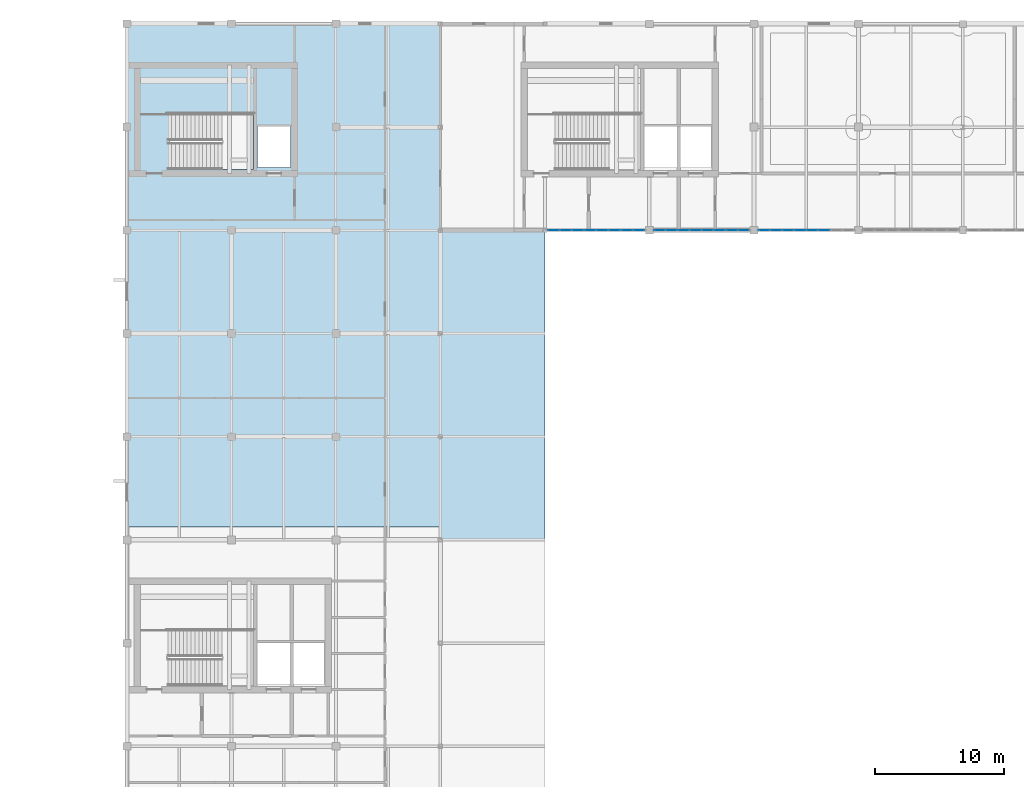
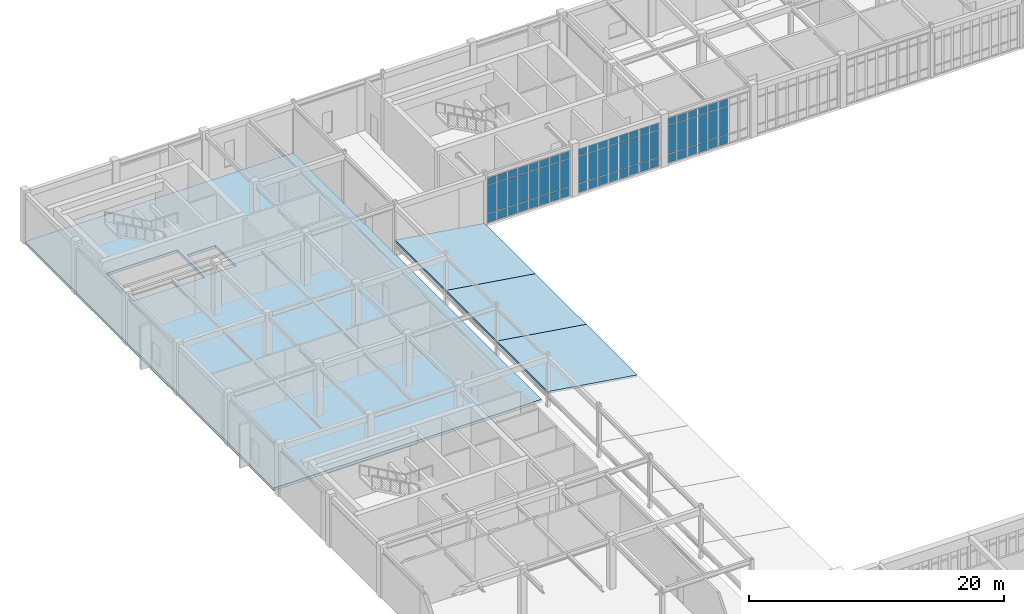
# One storey, part 47 of 70: 66 plates, 4 slabs, 3 elements without a shape of their own.
"""IFC4 building model written with IfcOpenShell, lengths in metres."""

from ifc_helpers import new_model, si_unit, direction, frame, origin, origin_2d, place, context, subcontext, project, spatial, polyline, rectangle, outline, extrude, material, layer, layer_set, type_object, element, aggregate, save


model = new_model("IFC4")

# Units and contexts
model_context = context("Model", 3, precision=1e-05, world=origin(), true_north=direction((0.0, 1.0)))
body_context = subcontext(model_context, "Body", "Model", "MODEL_VIEW")
ifc_project = project(units=[si_unit("LENGTHUNIT", "METRE"), si_unit("AREAUNIT", "SQUARE_METRE"), si_unit("VOLUMEUNIT", "CUBIC_METRE"), si_unit("PLANEANGLEUNIT", "RADIAN"), si_unit("MASSUNIT", "GRAM", prefix="KILO")], contexts=[model_context])

# Site, building, storey
site_placement = place(None, origin())
site = spatial("IfcSite", under=ifc_project, at=site_placement, CompositionType="ELEMENT")
building_placement = place(site_placement, origin())
building = spatial("IfcBuilding", under=site, at=building_placement, Name="Tarnveldt Square Police Headquarters", CompositionType="ELEMENT")
storey_placement = place(building_placement, frame((0.0, 0.0, 19.800048828125)))
storey = spatial("IfcBuildingStorey", under=building, at=storey_placement, Name="L04", CompositionType="ELEMENT", Elevation=19.800048828125)

# Curtain wall, plates
ifc_material_1 = material(Name="Triple-glazed low-e laminated vision glass", Category="glass")
curtain_wall_type_1 = type_object("IfcCurtainWallType", Name="CW-LB-762x439", PredefinedType="USERDEFINED", material=ifc_material_1)
curtain_wall_1_placement = place(storey_placement, origin())
curtain_wall_1 = element("IfcCurtainWall", 1, at=curtain_wall_1_placement, inside=storey, type_object=curtain_wall_type_1, Name="L04 Curtain Wall CW-L04-126", ObjectType="GLAZED CURTAIN WALL", PredefinedType="USERDEFINED")
ifc_layer_1 = layer(ifc_material_1, 0.028076171875)
ifc_layer_set_1 = layer_set([ifc_layer_1], Name="Triple-glazed low-e laminated vision glass")
plate_type = type_object("IfcPlateType", Name="CWP-VIS-28", PredefinedType="CURTAIN_PANEL", material=ifc_layer_set_1)
plate_1_placement = place(storey_placement, frame((49.26220703125, 96.0, 0.06494140625), z_axis=(0.0, 0.0, 1.0), x_axis=(1.0, 0.0, 0.0)))
plate_1 = element("IfcPlate", 2, at=plate_1_placement, type_object=plate_type, Name="CW-LB76 panel 1.1", PredefinedType="CURTAIN_PANEL", context=body_context, shape_type="SweptSolid", body=[
    extrude(rectangle(XDim=0.839599609375, YDim=0.028076171875, at=origin_2d()), origin(), (0.0, 0.0, 1.0), 0.802490234375),
])
plate_2_placement = place(storey_placement, frame((49.26220703125, 96.0, 0.9326171875), z_axis=(0.0, 0.0, 1.0), x_axis=(1.0, 0.0, 0.0)))
plate_2 = element("IfcPlate", 3, at=plate_2_placement, type_object=plate_type, Name="CW-LB76 panel 1.2", PredefinedType="CURTAIN_PANEL", context=body_context, shape_type="SweptSolid", body=[
    extrude(rectangle(XDim=0.839599609375, YDim=0.028076171875, at=origin_2d()), origin(), (0.0, 0.0, 1.0), 2.674072265625),
])
plate_3_placement = place(storey_placement, frame((49.26220703125, 96.0, 3.67138671875), z_axis=(0.0, 0.0, 1.0), x_axis=(1.0, 0.0, 0.0)))
plate_3 = element("IfcPlate", 4, at=plate_3_placement, type_object=plate_type, Name="CW-LB76 panel 1.3", PredefinedType="CURTAIN_PANEL", context=body_context, shape_type="SweptSolid", body=[
    extrude(rectangle(XDim=0.839599609375, YDim=0.028076171875, at=origin_2d()), origin(), (0.0, 0.0, 1.0), 0.652587890625),
])
plate_4_placement = place(storey_placement, frame((50.19580078125, 96.0, 0.06494140625), z_axis=(0.0, 0.0, 1.0), x_axis=(1.0, 0.0, 0.0)))
plate_4 = element("IfcPlate", 5, at=plate_4_placement, type_object=plate_type, Name="CW-LB76 panel 2.1", PredefinedType="CURTAIN_PANEL", context=body_context, shape_type="SweptSolid", body=[
    extrude(rectangle(XDim=0.877197265625, YDim=0.028076171875, at=origin_2d()), origin(), (0.0, 0.0, 1.0), 0.802490234375),
])
plate_5_placement = place(storey_placement, frame((50.19580078125, 96.0, 0.9326171875), z_axis=(0.0, 0.0, 1.0), x_axis=(1.0, 0.0, 0.0)))
plate_5 = element("IfcPlate", 6, at=plate_5_placement, type_object=plate_type, Name="CW-LB76 panel 2.2", PredefinedType="CURTAIN_PANEL", context=body_context, shape_type="SweptSolid", body=[
    extrude(rectangle(XDim=0.877197265625, YDim=0.028076171875, at=origin_2d()), origin(), (0.0, 0.0, 1.0), 2.674072265625),
])
plate_6_placement = place(storey_placement, frame((50.19580078125, 96.0, 3.67138671875), z_axis=(0.0, 0.0, 1.0), x_axis=(1.0, 0.0, 0.0)))
plate_6 = element("IfcPlate", 7, at=plate_6_placement, type_object=plate_type, Name="CW-LB76 panel 2.3", PredefinedType="CURTAIN_PANEL", context=body_context, shape_type="SweptSolid", body=[
    extrude(rectangle(XDim=0.877197265625, YDim=0.028076171875, at=origin_2d()), origin(), (0.0, 0.0, 1.0), 0.652587890625),
])
plate_7_placement = place(storey_placement, frame((51.14794921875, 96.0, 0.06494140625), z_axis=(0.0, 0.0, 1.0), x_axis=(1.0, 0.0, 0.0)))
plate_7 = element("IfcPlate", 8, at=plate_7_placement, type_object=plate_type, Name="CW-LB76 panel 3.1", PredefinedType="CURTAIN_PANEL", context=body_context, shape_type="SweptSolid", body=[
    extrude(rectangle(XDim=0.877197265625, YDim=0.028076171875, at=origin_2d()), origin(), (0.0, 0.0, 1.0), 0.802490234375),
])
plate_8_placement = place(storey_placement, frame((51.14794921875, 96.0, 0.9326171875), z_axis=(0.0, 0.0, 1.0), x_axis=(1.0, 0.0, 0.0)))
plate_8 = element("IfcPlate", 9, at=plate_8_placement, type_object=plate_type, Name="CW-LB76 panel 3.2", PredefinedType="CURTAIN_PANEL", context=body_context, shape_type="SweptSolid", body=[
    extrude(rectangle(XDim=0.877197265625, YDim=0.028076171875, at=origin_2d()), origin(), (0.0, 0.0, 1.0), 2.674072265625),
])
plate_9_placement = place(storey_placement, frame((51.14794921875, 96.0, 3.67138671875), z_axis=(0.0, 0.0, 1.0), x_axis=(1.0, 0.0, 0.0)))
plate_9 = element("IfcPlate", 10, at=plate_9_placement, type_object=plate_type, Name="CW-LB76 panel 3.3", PredefinedType="CURTAIN_PANEL", context=body_context, shape_type="SweptSolid", body=[
    extrude(rectangle(XDim=0.877197265625, YDim=0.028076171875, at=origin_2d()), origin(), (0.0, 0.0, 1.0), 0.652587890625),
])
plate_10_placement = place(storey_placement, frame((52.10009765625, 96.0, 0.06494140625), z_axis=(0.0, 0.0, 1.0), x_axis=(1.0, 0.0, 0.0)))
plate_10 = element("IfcPlate", 11, at=plate_10_placement, type_object=plate_type, Name="CW-LB76 panel 4.1", PredefinedType="CURTAIN_PANEL", context=body_context, shape_type="SweptSolid", body=[
    extrude(rectangle(XDim=0.877197265625, YDim=0.028076171875, at=origin_2d()), origin(), (0.0, 0.0, 1.0), 0.802490234375),
])
plate_11_placement = place(storey_placement, frame((52.10009765625, 96.0, 0.9326171875), z_axis=(0.0, 0.0, 1.0), x_axis=(1.0, 0.0, 0.0)))
plate_11 = element("IfcPlate", 12, at=plate_11_placement, type_object=plate_type, Name="CW-LB76 panel 4.2", PredefinedType="CURTAIN_PANEL", context=body_context, shape_type="SweptSolid", body=[
    extrude(rectangle(XDim=0.877197265625, YDim=0.028076171875, at=origin_2d()), origin(), (0.0, 0.0, 1.0), 2.674072265625),
])
plate_12_placement = place(storey_placement, frame((52.10009765625, 96.0, 3.67138671875), z_axis=(0.0, 0.0, 1.0), x_axis=(1.0, 0.0, 0.0)))
plate_12 = element("IfcPlate", 13, at=plate_12_placement, type_object=plate_type, Name="CW-LB76 panel 4.3", PredefinedType="CURTAIN_PANEL", context=body_context, shape_type="SweptSolid", body=[
    extrude(rectangle(XDim=0.877197265625, YDim=0.028076171875, at=origin_2d()), origin(), (0.0, 0.0, 1.0), 0.652587890625),
])
plate_13_placement = place(storey_placement, frame((53.05224609375, 96.0, 0.06494140625), z_axis=(0.0, 0.0, 1.0), x_axis=(1.0, 0.0, 0.0)))
plate_13 = element("IfcPlate", 14, at=plate_13_placement, type_object=plate_type, Name="CW-LB76 panel 5.1", PredefinedType="CURTAIN_PANEL", context=body_context, shape_type="SweptSolid", body=[
    extrude(rectangle(XDim=0.877197265625, YDim=0.028076171875, at=origin_2d()), origin(), (0.0, 0.0, 1.0), 0.802490234375),
])
plate_14_placement = place(storey_placement, frame((53.05224609375, 96.0, 0.9326171875), z_axis=(0.0, 0.0, 1.0), x_axis=(1.0, 0.0, 0.0)))
plate_14 = element("IfcPlate", 15, at=plate_14_placement, type_object=plate_type, Name="CW-LB76 panel 5.2", PredefinedType="CURTAIN_PANEL", context=body_context, shape_type="SweptSolid", body=[
    extrude(rectangle(XDim=0.877197265625, YDim=0.028076171875, at=origin_2d()), origin(), (0.0, 0.0, 1.0), 2.674072265625),
])
plate_15_placement = place(storey_placement, frame((53.05224609375, 96.0, 3.67138671875), z_axis=(0.0, 0.0, 1.0), x_axis=(1.0, 0.0, 0.0)))
plate_15 = element("IfcPlate", 16, at=plate_15_placement, type_object=plate_type, Name="CW-LB76 panel 5.3", PredefinedType="CURTAIN_PANEL", context=body_context, shape_type="SweptSolid", body=[
    extrude(rectangle(XDim=0.877197265625, YDim=0.028076171875, at=origin_2d()), origin(), (0.0, 0.0, 1.0), 0.652587890625),
])
plate_16_placement = place(storey_placement, frame((54.00439453125, 96.0, 0.06494140625), z_axis=(0.0, 0.0, 1.0), x_axis=(1.0, 0.0, 0.0)))
plate_16 = element("IfcPlate", 17, at=plate_16_placement, type_object=plate_type, Name="CW-LB76 panel 6.1", PredefinedType="CURTAIN_PANEL", context=body_context, shape_type="SweptSolid", body=[
    extrude(rectangle(XDim=0.877197265625, YDim=0.028076171875, at=origin_2d()), origin(), (0.0, 0.0, 1.0), 0.802490234375),
])
plate_17_placement = place(storey_placement, frame((54.00439453125, 96.0, 0.9326171875), z_axis=(0.0, 0.0, 1.0), x_axis=(1.0, 0.0, 0.0)))
plate_17 = element("IfcPlate", 18, at=plate_17_placement, type_object=plate_type, Name="CW-LB76 panel 6.2", PredefinedType="CURTAIN_PANEL", context=body_context, shape_type="SweptSolid", body=[
    extrude(rectangle(XDim=0.877197265625, YDim=0.028076171875, at=origin_2d()), origin(), (0.0, 0.0, 1.0), 2.674072265625),
])
plate_18_placement = place(storey_placement, frame((54.00439453125, 96.0, 3.67138671875), z_axis=(0.0, 0.0, 1.0), x_axis=(1.0, 0.0, 0.0)))
plate_18 = element("IfcPlate", 19, at=plate_18_placement, type_object=plate_type, Name="CW-LB76 panel 6.3", PredefinedType="CURTAIN_PANEL", context=body_context, shape_type="SweptSolid", body=[
    extrude(rectangle(XDim=0.877197265625, YDim=0.028076171875, at=origin_2d()), origin(), (0.0, 0.0, 1.0), 0.652587890625),
])
plate_19_placement = place(storey_placement, frame((54.956787109375, 96.0, 0.06494140625), z_axis=(0.0, 0.0, 1.0), x_axis=(1.0, 0.0, 0.0)))
plate_19 = element("IfcPlate", 20, at=plate_19_placement, type_object=plate_type, Name="CW-LB76 panel 7.1", PredefinedType="CURTAIN_PANEL", context=body_context, shape_type="SweptSolid", body=[
    extrude(rectangle(XDim=0.877197265625, YDim=0.028076171875, at=origin_2d()), origin(), (0.0, 0.0, 1.0), 0.802490234375),
])
plate_20_placement = place(storey_placement, frame((54.956787109375, 96.0, 0.9326171875), z_axis=(0.0, 0.0, 1.0), x_axis=(1.0, 0.0, 0.0)))
plate_20 = element("IfcPlate", 21, at=plate_20_placement, type_object=plate_type, Name="CW-LB76 panel 7.2", PredefinedType="CURTAIN_PANEL", context=body_context, shape_type="SweptSolid", body=[
    extrude(rectangle(XDim=0.877197265625, YDim=0.028076171875, at=origin_2d()), origin(), (0.0, 0.0, 1.0), 2.674072265625),
])
plate_21_placement = place(storey_placement, frame((54.956787109375, 96.0, 3.67138671875), z_axis=(0.0, 0.0, 1.0), x_axis=(1.0, 0.0, 0.0)))
plate_21 = element("IfcPlate", 22, at=plate_21_placement, type_object=plate_type, Name="CW-LB76 panel 7.3", PredefinedType="CURTAIN_PANEL", context=body_context, shape_type="SweptSolid", body=[
    extrude(rectangle(XDim=0.877197265625, YDim=0.028076171875, at=origin_2d()), origin(), (0.0, 0.0, 1.0), 0.652587890625),
])
plate_22_placement = place(storey_placement, frame((55.89013671875, 96.0, 0.06494140625), z_axis=(0.0, 0.0, 1.0), x_axis=(1.0, 0.0, 0.0)))
plate_22 = element("IfcPlate", 23, at=plate_22_placement, type_object=plate_type, Name="CW-LB76 panel 8.1", PredefinedType="CURTAIN_PANEL", context=body_context, shape_type="SweptSolid", body=[
    extrude(rectangle(XDim=0.839599609375, YDim=0.028076171875, at=origin_2d()), origin(), (0.0, 0.0, 1.0), 0.802490234375),
])
plate_23_placement = place(storey_placement, frame((55.89013671875, 96.0, 0.9326171875), z_axis=(0.0, 0.0, 1.0), x_axis=(1.0, 0.0, 0.0)))
plate_23 = element("IfcPlate", 24, at=plate_23_placement, type_object=plate_type, Name="CW-LB76 panel 8.2", PredefinedType="CURTAIN_PANEL", context=body_context, shape_type="SweptSolid", body=[
    extrude(rectangle(XDim=0.839599609375, YDim=0.028076171875, at=origin_2d()), origin(), (0.0, 0.0, 1.0), 2.674072265625),
])
plate_24_placement = place(storey_placement, frame((55.89013671875, 96.0, 3.67138671875), z_axis=(0.0, 0.0, 1.0), x_axis=(1.0, 0.0, 0.0)))
plate_24 = element("IfcPlate", 25, at=plate_24_placement, type_object=plate_type, Name="CW-LB76 panel 8.3", PredefinedType="CURTAIN_PANEL", context=body_context, shape_type="SweptSolid", body=[
    extrude(rectangle(XDim=0.839599609375, YDim=0.028076171875, at=origin_2d()), origin(), (0.0, 0.0, 1.0), 0.652587890625),
])
aggregate(curtain_wall_1, [plate_1, plate_2, plate_3, plate_4, plate_5, plate_6, plate_7, plate_8, plate_9, plate_10, plate_11, plate_12, plate_13, plate_14, plate_15, plate_16, plate_17, plate_18, plate_19, plate_20, plate_21, plate_22, plate_23, plate_24])

curtain_wall_type_2 = type_object("IfcCurtainWallType", Name="CW-LB-747x430", PredefinedType="USERDEFINED", material=ifc_material_1)
curtain_wall_2_placement = place(storey_placement, origin())
curtain_wall_2 = element("IfcCurtainWall", 26, at=curtain_wall_2_placement, inside=storey, type_object=curtain_wall_type_2, Name="L04 Curtain Wall CW-L04-127", ObjectType="GLAZED CURTAIN WALL", PredefinedType="USERDEFINED")
plate_25_placement = place(storey_placement, frame((57.500732421875, 96.0, 0.06494140625), z_axis=(0.0, 0.0, 1.0), x_axis=(1.0, 0.0, 0.0)))
plate_25 = element("IfcPlate", 27, at=plate_25_placement, type_object=plate_type, Name="CW-LB71 panel 1.1", PredefinedType="CURTAIN_PANEL", context=body_context, shape_type="SweptSolid", body=[
    extrude(rectangle(XDim=0.8212890625, YDim=0.028076171875, at=origin_2d()), origin(), (0.0, 0.0, 1.0), 0.802490234375),
])
plate_26_placement = place(storey_placement, frame((57.500732421875, 96.0, 0.932373046875), z_axis=(0.0, 0.0, 1.0), x_axis=(1.0, 0.0, 0.0)))
plate_26 = element("IfcPlate", 28, at=plate_26_placement, type_object=plate_type, Name="CW-LB71 panel 1.2", PredefinedType="CURTAIN_PANEL", context=body_context, shape_type="SweptSolid", body=[
    extrude(rectangle(XDim=0.8212890625, YDim=0.028076171875, at=origin_2d()), origin(), (0.0, 0.0, 1.0), 2.5869140625),
])
plate_27_placement = place(storey_placement, frame((57.500732421875, 96.0, 3.58447265625), z_axis=(0.0, 0.0, 1.0), x_axis=(1.0, 0.0, 0.0)))
plate_27 = element("IfcPlate", 29, at=plate_27_placement, type_object=plate_type, Name="CW-LB71 panel 1.3", PredefinedType="CURTAIN_PANEL", context=body_context, shape_type="SweptSolid", body=[
    extrude(rectangle(XDim=0.8212890625, YDim=0.028076171875, at=origin_2d()), origin(), (0.0, 0.0, 1.0), 0.652587890625),
])
plate_28_placement = place(storey_placement, frame((58.41552734375, 96.0, 0.06494140625), z_axis=(0.0, 0.0, 1.0), x_axis=(1.0, 0.0, 0.0)))
plate_28 = element("IfcPlate", 30, at=plate_28_placement, type_object=plate_type, Name="CW-LB71 panel 2.1", PredefinedType="CURTAIN_PANEL", context=body_context, shape_type="SweptSolid", body=[
    extrude(rectangle(XDim=0.858642578125, YDim=0.028076171875, at=origin_2d()), origin(), (0.0, 0.0, 1.0), 0.802490234375),
])
plate_29_placement = place(storey_placement, frame((58.41552734375, 96.0, 0.932373046875), z_axis=(0.0, 0.0, 1.0), x_axis=(1.0, 0.0, 0.0)))
plate_29 = element("IfcPlate", 31, at=plate_29_placement, type_object=plate_type, Name="CW-LB71 panel 2.2", PredefinedType="CURTAIN_PANEL", context=body_context, shape_type="SweptSolid", body=[
    extrude(rectangle(XDim=0.858642578125, YDim=0.028076171875, at=origin_2d()), origin(), (0.0, 0.0, 1.0), 2.5869140625),
])
plate_30_placement = place(storey_placement, frame((58.41552734375, 96.0, 3.58447265625), z_axis=(0.0, 0.0, 1.0), x_axis=(1.0, 0.0, 0.0)))
plate_30 = element("IfcPlate", 32, at=plate_30_placement, type_object=plate_type, Name="CW-LB71 panel 2.3", PredefinedType="CURTAIN_PANEL", context=body_context, shape_type="SweptSolid", body=[
    extrude(rectangle(XDim=0.858642578125, YDim=0.028076171875, at=origin_2d()), origin(), (0.0, 0.0, 1.0), 0.652587890625),
])
plate_31_placement = place(storey_placement, frame((59.349365234375, 96.0, 0.06494140625), z_axis=(0.0, 0.0, 1.0), x_axis=(1.0, 0.0, 0.0)))
plate_31 = element("IfcPlate", 33, at=plate_31_placement, type_object=plate_type, Name="CW-LB71 panel 3.1", PredefinedType="CURTAIN_PANEL", context=body_context, shape_type="SweptSolid", body=[
    extrude(rectangle(XDim=0.858642578125, YDim=0.028076171875, at=origin_2d()), origin(), (0.0, 0.0, 1.0), 0.802490234375),
])
plate_32_placement = place(storey_placement, frame((59.349365234375, 96.0, 0.932373046875), z_axis=(0.0, 0.0, 1.0), x_axis=(1.0, 0.0, 0.0)))
plate_32 = element("IfcPlate", 34, at=plate_32_placement, type_object=plate_type, Name="CW-LB71 panel 3.2", PredefinedType="CURTAIN_PANEL", context=body_context, shape_type="SweptSolid", body=[
    extrude(rectangle(XDim=0.858642578125, YDim=0.028076171875, at=origin_2d()), origin(), (0.0, 0.0, 1.0), 2.5869140625),
])
plate_33_placement = place(storey_placement, frame((59.349365234375, 96.0, 3.58447265625), z_axis=(0.0, 0.0, 1.0), x_axis=(1.0, 0.0, 0.0)))
plate_33 = element("IfcPlate", 35, at=plate_33_placement, type_object=plate_type, Name="CW-LB71 panel 3.3", PredefinedType="CURTAIN_PANEL", context=body_context, shape_type="SweptSolid", body=[
    extrude(rectangle(XDim=0.858642578125, YDim=0.028076171875, at=origin_2d()), origin(), (0.0, 0.0, 1.0), 0.652587890625),
])
plate_34_placement = place(storey_placement, frame((60.283203125, 96.0, 0.06494140625), z_axis=(0.0, 0.0, 1.0), x_axis=(1.0, 0.0, 0.0)))
plate_34 = element("IfcPlate", 36, at=plate_34_placement, type_object=plate_type, Name="CW-LB71 panel 4.1", PredefinedType="CURTAIN_PANEL", context=body_context, shape_type="SweptSolid", body=[
    extrude(rectangle(XDim=0.858642578125, YDim=0.028076171875, at=origin_2d()), origin(), (0.0, 0.0, 1.0), 0.802490234375),
])
plate_35_placement = place(storey_placement, frame((60.283203125, 96.0, 0.932373046875), z_axis=(0.0, 0.0, 1.0), x_axis=(1.0, 0.0, 0.0)))
plate_35 = element("IfcPlate", 37, at=plate_35_placement, type_object=plate_type, Name="CW-LB71 panel 4.2", PredefinedType="CURTAIN_PANEL", context=body_context, shape_type="SweptSolid", body=[
    extrude(rectangle(XDim=0.858642578125, YDim=0.028076171875, at=origin_2d()), origin(), (0.0, 0.0, 1.0), 2.5869140625),
])
plate_36_placement = place(storey_placement, frame((60.283203125, 96.0, 3.58447265625), z_axis=(0.0, 0.0, 1.0), x_axis=(1.0, 0.0, 0.0)))
plate_36 = element("IfcPlate", 38, at=plate_36_placement, type_object=plate_type, Name="CW-LB71 panel 4.3", PredefinedType="CURTAIN_PANEL", context=body_context, shape_type="SweptSolid", body=[
    extrude(rectangle(XDim=0.858642578125, YDim=0.028076171875, at=origin_2d()), origin(), (0.0, 0.0, 1.0), 0.652587890625),
])
plate_37_placement = place(storey_placement, frame((61.216796875, 96.0, 0.06494140625), z_axis=(0.0, 0.0, 1.0), x_axis=(1.0, 0.0, 0.0)))
plate_37 = element("IfcPlate", 39, at=plate_37_placement, type_object=plate_type, Name="CW-LB71 panel 5.1", PredefinedType="CURTAIN_PANEL", context=body_context, shape_type="SweptSolid", body=[
    extrude(rectangle(XDim=0.858642578125, YDim=0.028076171875, at=origin_2d()), origin(), (0.0, 0.0, 1.0), 0.802490234375),
])
plate_38_placement = place(storey_placement, frame((61.216796875, 96.0, 0.932373046875), z_axis=(0.0, 0.0, 1.0), x_axis=(1.0, 0.0, 0.0)))
plate_38 = element("IfcPlate", 40, at=plate_38_placement, type_object=plate_type, Name="CW-LB71 panel 5.2", PredefinedType="CURTAIN_PANEL", context=body_context, shape_type="SweptSolid", body=[
    extrude(rectangle(XDim=0.858642578125, YDim=0.028076171875, at=origin_2d()), origin(), (0.0, 0.0, 1.0), 2.5869140625),
])
plate_39_placement = place(storey_placement, frame((61.216796875, 96.0, 3.58447265625), z_axis=(0.0, 0.0, 1.0), x_axis=(1.0, 0.0, 0.0)))
plate_39 = element("IfcPlate", 41, at=plate_39_placement, type_object=plate_type, Name="CW-LB71 panel 5.3", PredefinedType="CURTAIN_PANEL", context=body_context, shape_type="SweptSolid", body=[
    extrude(rectangle(XDim=0.858642578125, YDim=0.028076171875, at=origin_2d()), origin(), (0.0, 0.0, 1.0), 0.652587890625),
])
plate_40_placement = place(storey_placement, frame((62.150634765625, 96.0, 0.06494140625), z_axis=(0.0, 0.0, 1.0), x_axis=(1.0, 0.0, 0.0)))
plate_40 = element("IfcPlate", 42, at=plate_40_placement, type_object=plate_type, Name="CW-LB71 panel 6.1", PredefinedType="CURTAIN_PANEL", context=body_context, shape_type="SweptSolid", body=[
    extrude(rectangle(XDim=0.858642578125, YDim=0.028076171875, at=origin_2d()), origin(), (0.0, 0.0, 1.0), 0.802490234375),
])
plate_41_placement = place(storey_placement, frame((62.150634765625, 96.0, 0.932373046875), z_axis=(0.0, 0.0, 1.0), x_axis=(1.0, 0.0, 0.0)))
plate_41 = element("IfcPlate", 43, at=plate_41_placement, type_object=plate_type, Name="CW-LB71 panel 6.2", PredefinedType="CURTAIN_PANEL", context=body_context, shape_type="SweptSolid", body=[
    extrude(rectangle(XDim=0.858642578125, YDim=0.028076171875, at=origin_2d()), origin(), (0.0, 0.0, 1.0), 2.5869140625),
])
plate_42_placement = place(storey_placement, frame((62.150634765625, 96.0, 3.58447265625), z_axis=(0.0, 0.0, 1.0), x_axis=(1.0, 0.0, 0.0)))
plate_42 = element("IfcPlate", 44, at=plate_42_placement, type_object=plate_type, Name="CW-LB71 panel 6.3", PredefinedType="CURTAIN_PANEL", context=body_context, shape_type="SweptSolid", body=[
    extrude(rectangle(XDim=0.858642578125, YDim=0.028076171875, at=origin_2d()), origin(), (0.0, 0.0, 1.0), 0.652587890625),
])
plate_43_placement = place(storey_placement, frame((63.08447265625, 96.0, 0.06494140625), z_axis=(0.0, 0.0, 1.0), x_axis=(1.0, 0.0, 0.0)))
plate_43 = element("IfcPlate", 45, at=plate_43_placement, type_object=plate_type, Name="CW-LB71 panel 7.1", PredefinedType="CURTAIN_PANEL", context=body_context, shape_type="SweptSolid", body=[
    extrude(rectangle(XDim=0.858642578125, YDim=0.028076171875, at=origin_2d()), origin(), (0.0, 0.0, 1.0), 0.802490234375),
])
plate_44_placement = place(storey_placement, frame((63.08447265625, 96.0, 0.932373046875), z_axis=(0.0, 0.0, 1.0), x_axis=(1.0, 0.0, 0.0)))
plate_44 = element("IfcPlate", 46, at=plate_44_placement, type_object=plate_type, Name="CW-LB71 panel 7.2", PredefinedType="CURTAIN_PANEL", context=body_context, shape_type="SweptSolid", body=[
    extrude(rectangle(XDim=0.858642578125, YDim=0.028076171875, at=origin_2d()), origin(), (0.0, 0.0, 1.0), 2.5869140625),
])
plate_45_placement = place(storey_placement, frame((63.08447265625, 96.0, 3.58447265625), z_axis=(0.0, 0.0, 1.0), x_axis=(1.0, 0.0, 0.0)))
plate_45 = element("IfcPlate", 47, at=plate_45_placement, type_object=plate_type, Name="CW-LB71 panel 7.3", PredefinedType="CURTAIN_PANEL", context=body_context, shape_type="SweptSolid", body=[
    extrude(rectangle(XDim=0.858642578125, YDim=0.028076171875, at=origin_2d()), origin(), (0.0, 0.0, 1.0), 0.652587890625),
])
plate_46_placement = place(storey_placement, frame((63.999267578125, 96.0, 0.06494140625), z_axis=(0.0, 0.0, 1.0), x_axis=(1.0, 0.0, 0.0)))
plate_46 = element("IfcPlate", 48, at=plate_46_placement, type_object=plate_type, Name="CW-LB71 panel 8.1", PredefinedType="CURTAIN_PANEL", context=body_context, shape_type="SweptSolid", body=[
    extrude(rectangle(XDim=0.8212890625, YDim=0.028076171875, at=origin_2d()), origin(), (0.0, 0.0, 1.0), 0.802490234375),
])
plate_47_placement = place(storey_placement, frame((63.999267578125, 96.0, 0.932373046875), z_axis=(0.0, 0.0, 1.0), x_axis=(1.0, 0.0, 0.0)))
plate_47 = element("IfcPlate", 49, at=plate_47_placement, type_object=plate_type, Name="CW-LB71 panel 8.2", PredefinedType="CURTAIN_PANEL", context=body_context, shape_type="SweptSolid", body=[
    extrude(rectangle(XDim=0.8212890625, YDim=0.028076171875, at=origin_2d()), origin(), (0.0, 0.0, 1.0), 2.5869140625),
])
plate_48_placement = place(storey_placement, frame((63.999267578125, 96.0, 3.58447265625), z_axis=(0.0, 0.0, 1.0), x_axis=(1.0, 0.0, 0.0)))
plate_48 = element("IfcPlate", 50, at=plate_48_placement, type_object=plate_type, Name="CW-LB71 panel 8.3", PredefinedType="CURTAIN_PANEL", context=body_context, shape_type="SweptSolid", body=[
    extrude(rectangle(XDim=0.8212890625, YDim=0.028076171875, at=origin_2d()), origin(), (0.0, 0.0, 1.0), 0.652587890625),
])
aggregate(curtain_wall_2, [plate_25, plate_26, plate_27, plate_28, plate_29, plate_30, plate_31, plate_32, plate_33, plate_34, plate_35, plate_36, plate_37, plate_38, plate_39, plate_40, plate_41, plate_42, plate_43, plate_44, plate_45, plate_46, plate_47, plate_48])

curtain_wall_type_3 = type_object("IfcCurtainWallType", Name="CW-LB-747x439", PredefinedType="USERDEFINED", material=ifc_material_1)
curtain_wall_3_placement = place(storey_placement, origin())
curtain_wall_3 = element("IfcCurtainWall", 51, at=curtain_wall_3_placement, inside=storey, type_object=curtain_wall_type_3, Name="L04 Curtain Wall CW-L04-128", ObjectType="GLAZED CURTAIN WALL", PredefinedType="USERDEFINED")
plate_49_placement = place(storey_placement, frame((65.6005859375, 96.0, 0.06494140625), z_axis=(0.0, 0.0, 1.0), x_axis=(1.0, 0.0, 0.0)))
plate_49 = element("IfcPlate", 52, at=plate_49_placement, type_object=plate_type, Name="CW-LB77 panel 1.1", PredefinedType="CURTAIN_PANEL", context=body_context, shape_type="SweptSolid", body=[
    extrude(rectangle(XDim=0.8212890625, YDim=0.028076171875, at=origin_2d()), origin(), (0.0, 0.0, 1.0), 0.802490234375),
])
plate_50_placement = place(storey_placement, frame((65.6005859375, 96.0, 0.9326171875), z_axis=(0.0, 0.0, 1.0), x_axis=(1.0, 0.0, 0.0)))
plate_50 = element("IfcPlate", 53, at=plate_50_placement, type_object=plate_type, Name="CW-LB77 panel 1.2", PredefinedType="CURTAIN_PANEL", context=body_context, shape_type="SweptSolid", body=[
    extrude(rectangle(XDim=0.8212890625, YDim=0.028076171875, at=origin_2d()), origin(), (0.0, 0.0, 1.0), 2.674072265625),
])
plate_51_placement = place(storey_placement, frame((65.6005859375, 96.0, 3.67138671875), z_axis=(0.0, 0.0, 1.0), x_axis=(1.0, 0.0, 0.0)))
plate_51 = element("IfcPlate", 54, at=plate_51_placement, type_object=plate_type, Name="CW-LB77 panel 1.3", PredefinedType="CURTAIN_PANEL", context=body_context, shape_type="SweptSolid", body=[
    extrude(rectangle(XDim=0.8212890625, YDim=0.028076171875, at=origin_2d()), origin(), (0.0, 0.0, 1.0), 0.652587890625),
])
plate_52_placement = place(storey_placement, frame((66.515625, 96.0, 0.06494140625), z_axis=(0.0, 0.0, 1.0), x_axis=(1.0, 0.0, 0.0)))
plate_52 = element("IfcPlate", 55, at=plate_52_placement, type_object=plate_type, Name="CW-LB77 panel 2.1", PredefinedType="CURTAIN_PANEL", context=body_context, shape_type="SweptSolid", body=[
    extrude(rectangle(XDim=0.858642578125, YDim=0.028076171875, at=origin_2d()), origin(), (0.0, 0.0, 1.0), 0.802490234375),
])
plate_53_placement = place(storey_placement, frame((66.515625, 96.0, 0.9326171875), z_axis=(0.0, 0.0, 1.0), x_axis=(1.0, 0.0, 0.0)))
plate_53 = element("IfcPlate", 56, at=plate_53_placement, type_object=plate_type, Name="CW-LB77 panel 2.2", PredefinedType="CURTAIN_PANEL", context=body_context, shape_type="SweptSolid", body=[
    extrude(rectangle(XDim=0.858642578125, YDim=0.028076171875, at=origin_2d()), origin(), (0.0, 0.0, 1.0), 2.674072265625),
])
plate_54_placement = place(storey_placement, frame((66.515625, 96.0, 3.67138671875), z_axis=(0.0, 0.0, 1.0), x_axis=(1.0, 0.0, 0.0)))
plate_54 = element("IfcPlate", 57, at=plate_54_placement, type_object=plate_type, Name="CW-LB77 panel 2.3", PredefinedType="CURTAIN_PANEL", context=body_context, shape_type="SweptSolid", body=[
    extrude(rectangle(XDim=0.858642578125, YDim=0.028076171875, at=origin_2d()), origin(), (0.0, 0.0, 1.0), 0.652587890625),
])
plate_55_placement = place(storey_placement, frame((67.449462890625, 96.0, 0.06494140625), z_axis=(0.0, 0.0, 1.0), x_axis=(1.0, 0.0, 0.0)))
plate_55 = element("IfcPlate", 58, at=plate_55_placement, type_object=plate_type, Name="CW-LB77 panel 3.1", PredefinedType="CURTAIN_PANEL", context=body_context, shape_type="SweptSolid", body=[
    extrude(rectangle(XDim=0.858642578125, YDim=0.028076171875, at=origin_2d()), origin(), (0.0, 0.0, 1.0), 0.802490234375),
])
plate_56_placement = place(storey_placement, frame((67.449462890625, 96.0, 0.9326171875), z_axis=(0.0, 0.0, 1.0), x_axis=(1.0, 0.0, 0.0)))
plate_56 = element("IfcPlate", 59, at=plate_56_placement, type_object=plate_type, Name="CW-LB77 panel 3.2", PredefinedType="CURTAIN_PANEL", context=body_context, shape_type="SweptSolid", body=[
    extrude(rectangle(XDim=0.858642578125, YDim=0.028076171875, at=origin_2d()), origin(), (0.0, 0.0, 1.0), 2.674072265625),
])
plate_57_placement = place(storey_placement, frame((67.449462890625, 96.0, 3.67138671875), z_axis=(0.0, 0.0, 1.0), x_axis=(1.0, 0.0, 0.0)))
plate_57 = element("IfcPlate", 60, at=plate_57_placement, type_object=plate_type, Name="CW-LB77 panel 3.3", PredefinedType="CURTAIN_PANEL", context=body_context, shape_type="SweptSolid", body=[
    extrude(rectangle(XDim=0.858642578125, YDim=0.028076171875, at=origin_2d()), origin(), (0.0, 0.0, 1.0), 0.652587890625),
])
plate_58_placement = place(storey_placement, frame((68.383056640625, 96.0, 0.06494140625), z_axis=(0.0, 0.0, 1.0), x_axis=(1.0, 0.0, 0.0)))
plate_58 = element("IfcPlate", 61, at=plate_58_placement, type_object=plate_type, Name="CW-LB77 panel 4.1", PredefinedType="CURTAIN_PANEL", context=body_context, shape_type="SweptSolid", body=[
    extrude(rectangle(XDim=0.858642578125, YDim=0.028076171875, at=origin_2d()), origin(), (0.0, 0.0, 1.0), 0.802490234375),
])
plate_59_placement = place(storey_placement, frame((68.383056640625, 96.0, 0.9326171875), z_axis=(0.0, 0.0, 1.0), x_axis=(1.0, 0.0, 0.0)))
plate_59 = element("IfcPlate", 62, at=plate_59_placement, type_object=plate_type, Name="CW-LB77 panel 4.2", PredefinedType="CURTAIN_PANEL", context=body_context, shape_type="SweptSolid", body=[
    extrude(rectangle(XDim=0.858642578125, YDim=0.028076171875, at=origin_2d()), origin(), (0.0, 0.0, 1.0), 2.674072265625),
])
plate_60_placement = place(storey_placement, frame((68.383056640625, 96.0, 3.67138671875), z_axis=(0.0, 0.0, 1.0), x_axis=(1.0, 0.0, 0.0)))
plate_60 = element("IfcPlate", 63, at=plate_60_placement, type_object=plate_type, Name="CW-LB77 panel 4.3", PredefinedType="CURTAIN_PANEL", context=body_context, shape_type="SweptSolid", body=[
    extrude(rectangle(XDim=0.858642578125, YDim=0.028076171875, at=origin_2d()), origin(), (0.0, 0.0, 1.0), 0.652587890625),
])
plate_61_placement = place(storey_placement, frame((69.31689453125, 96.0, 0.06494140625), z_axis=(0.0, 0.0, 1.0), x_axis=(1.0, 0.0, 0.0)))
plate_61 = element("IfcPlate", 64, at=plate_61_placement, type_object=plate_type, Name="CW-LB77 panel 5.1", PredefinedType="CURTAIN_PANEL", context=body_context, shape_type="SweptSolid", body=[
    extrude(rectangle(XDim=0.858642578125, YDim=0.028076171875, at=origin_2d()), origin(), (0.0, 0.0, 1.0), 0.802490234375),
])
plate_62_placement = place(storey_placement, frame((69.31689453125, 96.0, 0.9326171875), z_axis=(0.0, 0.0, 1.0), x_axis=(1.0, 0.0, 0.0)))
plate_62 = element("IfcPlate", 65, at=plate_62_placement, type_object=plate_type, Name="CW-LB77 panel 5.2", PredefinedType="CURTAIN_PANEL", context=body_context, shape_type="SweptSolid", body=[
    extrude(rectangle(XDim=0.858642578125, YDim=0.028076171875, at=origin_2d()), origin(), (0.0, 0.0, 1.0), 2.674072265625),
])
plate_63_placement = place(storey_placement, frame((69.31689453125, 96.0, 3.67138671875), z_axis=(0.0, 0.0, 1.0), x_axis=(1.0, 0.0, 0.0)))
plate_63 = element("IfcPlate", 66, at=plate_63_placement, type_object=plate_type, Name="CW-LB77 panel 5.3", PredefinedType="CURTAIN_PANEL", context=body_context, shape_type="SweptSolid", body=[
    extrude(rectangle(XDim=0.858642578125, YDim=0.028076171875, at=origin_2d()), origin(), (0.0, 0.0, 1.0), 0.652587890625),
])
plate_64_placement = place(storey_placement, frame((70.250732421875, 96.0, 0.06494140625), z_axis=(0.0, 0.0, 1.0), x_axis=(1.0, 0.0, 0.0)))
plate_64 = element("IfcPlate", 67, at=plate_64_placement, type_object=plate_type, Name="CW-LB77 panel 6.1", PredefinedType="CURTAIN_PANEL", context=body_context, shape_type="SweptSolid", body=[
    extrude(rectangle(XDim=0.858642578125, YDim=0.028076171875, at=origin_2d()), origin(), (0.0, 0.0, 1.0), 0.802490234375),
])
plate_65_placement = place(storey_placement, frame((70.250732421875, 96.0, 0.9326171875), z_axis=(0.0, 0.0, 1.0), x_axis=(1.0, 0.0, 0.0)))
plate_65 = element("IfcPlate", 68, at=plate_65_placement, type_object=plate_type, Name="CW-LB77 panel 6.2", PredefinedType="CURTAIN_PANEL", context=body_context, shape_type="SweptSolid", body=[
    extrude(rectangle(XDim=0.858642578125, YDim=0.028076171875, at=origin_2d()), origin(), (0.0, 0.0, 1.0), 2.674072265625),
])
plate_66_placement = place(storey_placement, frame((70.250732421875, 96.0, 3.67138671875), z_axis=(0.0, 0.0, 1.0), x_axis=(1.0, 0.0, 0.0)))
plate_66 = element("IfcPlate", 69, at=plate_66_placement, type_object=plate_type, Name="CW-LB77 panel 6.3", PredefinedType="CURTAIN_PANEL", context=body_context, shape_type="SweptSolid", body=[
    extrude(rectangle(XDim=0.858642578125, YDim=0.028076171875, at=origin_2d()), origin(), (0.0, 0.0, 1.0), 0.652587890625),
])
aggregate(curtain_wall_3, [plate_49, plate_50, plate_51, plate_52, plate_53, plate_54, plate_55, plate_56, plate_57, plate_58, plate_59, plate_60, plate_61, plate_62, plate_63, plate_64, plate_65, plate_66])

# Slabs
ifc_material_2 = material(Name="Concrete 40 MPa", Category="concrete")
ifc_layer_2 = layer(ifc_material_2, 0.260009765625)
ifc_layer_set_2 = layer_set([ifc_layer_2], Name="Concrete 40 MPa")
slab_type_1 = type_object("IfcSlabType", Name="SL-MID-260", PredefinedType="FLOOR", material=ifc_layer_set_2)
slab_placement = place(storey_placement, frame((0.0, 0.0, -0.260009765625)))
element("IfcSlab", 70, at=slab_placement, inside=storey, type_object=slab_type_1, Name="L04 Structural Floor Slab L04-V5-2", PredefinedType="FLOOR", context=body_context, shape_type="SweptSolid", body=[
    extrude(outline(polyline([(40.5, 73.0), (16.199951171875, 73.0), (16.199951171875, 112.0), (40.5, 112.0), (40.5, 73.0)]), holes=[polyline([(26.330078125, 104.050048828125), (26.330078125, 100.85009765625), (28.8798828125, 100.85009765625), (28.8798828125, 104.050048828125), (26.330078125, 104.050048828125)]), polyline([(19.510009765625, 105.02001953125), (19.510009765625, 100.719970703125), (25.969970703125, 100.719970703125), (25.969970703125, 105.02001953125), (19.510009765625, 105.02001953125)])]), origin(), (0.0, 0.0, 1.0), 0.260009765625),
])
ifc_material_3 = material(Name="Precast concrete 35 MPa", Category="concrete")
ifc_layer_3 = layer(ifc_material_3, 0.18994140625)
ifc_layer_set_3 = layer_set([ifc_layer_3], Name="Precast concrete 35 MPa")
slab_type_2 = type_object("IfcSlabType", Name="SL-PITCH-190", PredefinedType="ROOF", material=ifc_layer_set_3)
for number, where, z_axis, x_axis, name in (
    (71, (40.5, 72.0, 1.349853515625), (0.150126685678, 0.0, 0.98866676805), (0.98866676805, 0.0, -0.150126685678), "Winter-Garden Sloped Roof Deck 5"),
    (72, (40.5, 80.0, 1.349853515625), (0.150126685678, 0.0, 0.98866676805), (0.98866676805, 0.0, -0.150126685678), "Winter-Garden Sloped Roof Deck 6"),
    (73, (40.5, 88.0, 1.349853515625), (0.150126685678, 0.0, 0.98866676805), (0.98866676805, 0.0, -0.150126685678), "Winter-Garden Sloped Roof Deck 7"),
):
    element("IfcSlab", number, at=place(storey_placement, frame(where, z_axis=z_axis, x_axis=x_axis)), inside=storey, type_object=slab_type_2, Name=name, PredefinedType="ROOF", context=body_context, shape_type="SweptSolid", body=[
        extrude(outline(polyline([(0.0, 0.0), (8.192950261919892, 0.0), (8.192950261919892, 8.0), (0.0, 8.0), (0.0, 0.0)])), origin(), (0.0, 0.0, -1.0), 0.18994140625),
    ])

save(model, "model.ifc")
